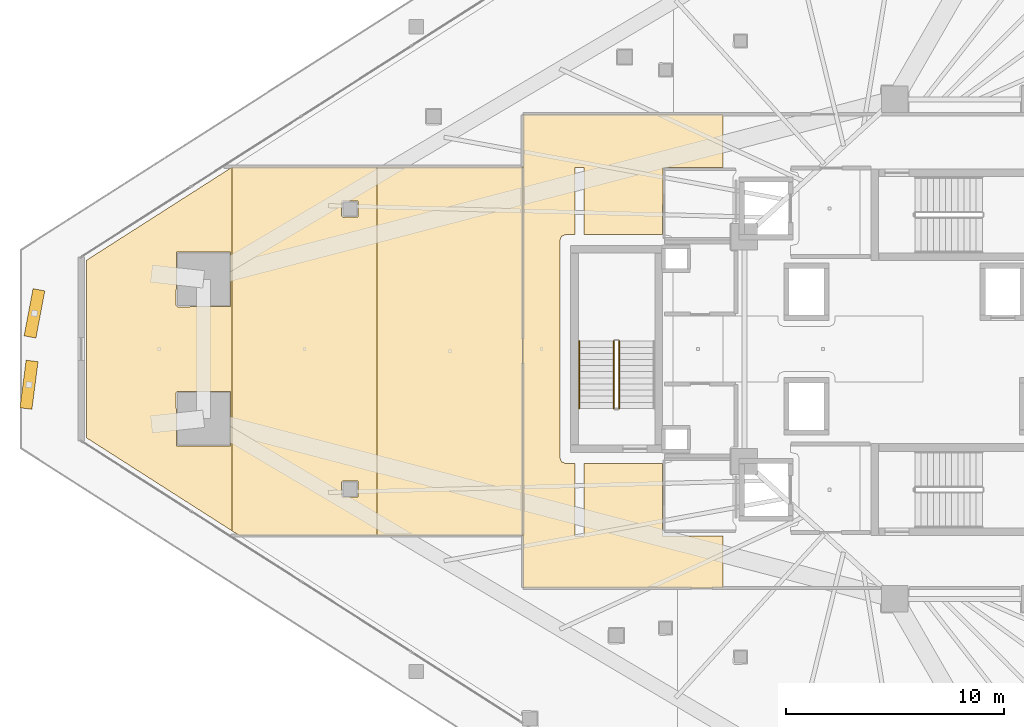
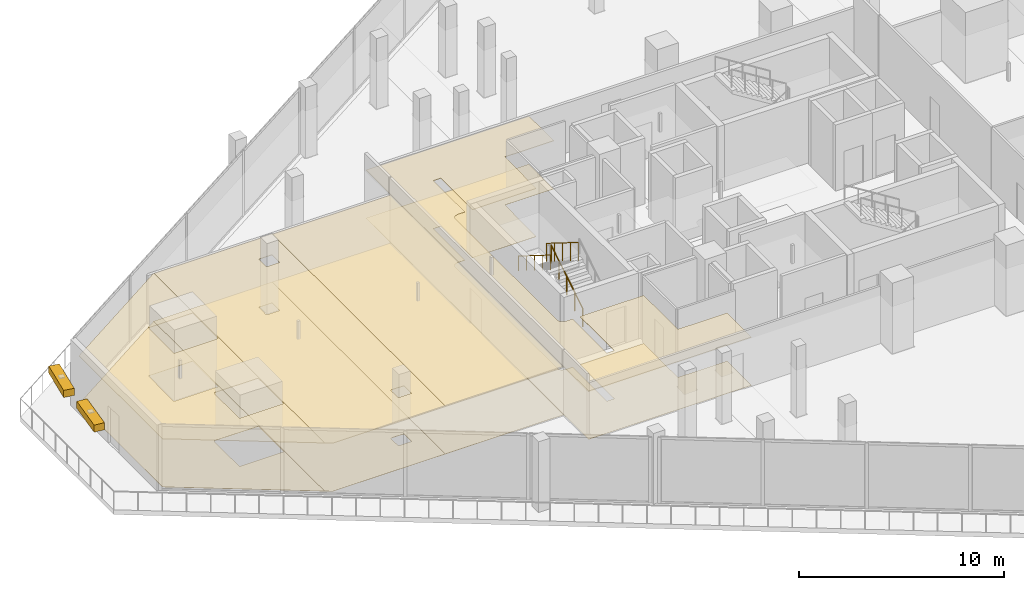
# One storey, part 38 of 42: 8 coverings, 3 railings, 2 shading devices.
"""IFC4 building model written with IfcOpenShell, lengths in metres."""

from ifc_helpers import new_model, si_unit, direction, frame, origin, origin_2d, place, context, subcontext, project, spatial, polyline, rectangle, circle, outline, extrude, material, layer, layer_set, type_object, element, save


model = new_model("IFC4")

# Units and contexts
model_context = context("Model", 3, precision=1e-05, world=origin(), true_north=direction((0.0, 1.0)))
body_context = subcontext(model_context, "Body", "Model", "MODEL_VIEW")
ifc_project = project(units=[si_unit("LENGTHUNIT", "METRE"), si_unit("AREAUNIT", "SQUARE_METRE"), si_unit("VOLUMEUNIT", "CUBIC_METRE"), si_unit("PLANEANGLEUNIT", "RADIAN"), si_unit("MASSUNIT", "GRAM", prefix="KILO")], contexts=[model_context])

# Site, building, storey
site_placement = place(None, origin())
site = spatial("IfcSite", under=ifc_project, at=site_placement, CompositionType="ELEMENT")
building_placement = place(site_placement, origin())
building = spatial("IfcBuilding", under=site, at=building_placement, Name="Qorvath Tower", CompositionType="ELEMENT")
storey_placement = place(building_placement, frame((0.0, 0.0, 32.39990234375)))
storey = spatial("IfcBuildingStorey", under=building, at=storey_placement, Name="L06", CompositionType="ELEMENT", Elevation=32.39990234375)

# Coverings
ifc_material_1 = material(Name="Acoustic mineral fibre ceiling tile", Category="gypsum")
ifc_layer_1 = layer(ifc_material_1, 0.030029296875)
ifc_layer_set_1 = layer_set([ifc_layer_1], Name="COV-CEIL")
covering_type_1 = type_object("IfcCoveringType", Name="COV-CEIL", PredefinedType="CEILING", material=ifc_layer_set_1)
covering_1_placement = place(storey_placement, frame((0.0, 0.0, 2.85009765625)))
element("IfcCovering", 1, at=covering_1_placement, inside=storey, type_object=covering_type_1, Name="L06 Suspended Acoustic Ceiling 007", PredefinedType="CEILING", context=body_context, shape_type="SweptSolid", body=[
    extrude(outline(polyline([(-31.481689453125, -10.945068359375), (-31.481689453125, -8.564697265625), (-34.25, -8.56494140625), (-34.2548828125, -5.239990234375), (-37.844970703125, -5.239990234375), (-37.844970703125, -8.580078125), (-38.2548828125, -8.580078125), (-38.2548828125, -5.239990234375), (-38.699951171875, -5.239990234375), (-38.876708984375, -5.166748046875), (-38.949951171875, -4.989990234375), (-38.949951171875, 4.989990234375), (-38.876708984375, 5.166748046875), (-38.699951171875, 5.239990234375), (-38.2548828125, 5.239990234375), (-38.25341796875, 8.323486328125), (-37.844970703125, 8.320068359375), (-37.844970703125, 5.239990234375), (-34.2509765625, 5.239990234375), (-34.219970703125, 8.324951171875), (-31.481689453125, 8.324951171875), (-31.481689453125, 10.7451171875), (-40.64501953125, 10.7451171875), (-40.64501953125, -10.945068359375), (-31.481689453125, -10.945068359375)])), origin(), (0.0, 0.0, 1.0), 0.030029296875),
])
covering_2_placement = place(storey_placement, frame((0.0, 0.0, 2.85009765625)))
element("IfcCovering", 2, at=covering_2_placement, inside=storey, type_object=covering_type_1, Name="L06 Suspended Acoustic Ceiling 022", PredefinedType="CEILING", context=body_context, shape_type="SweptSolid", body=[
    extrude(outline(polyline([(-53.98583984375, -8.330322265625), (-53.98583984375, 8.330322265625), (-60.6474609375, 4.07275390625), (-60.6474609375, -4.07275390625), (-53.98583984375, -8.330322265625)]), holes=[polyline([(-56.54296875, -1.994384765625), (-56.48291015625, -1.9345703125), (-54.04052734375, -1.9521484375), (-54.04052734375, -4.43701171875), (-56.525390625, -4.43701171875), (-56.54296875, -1.994384765625)]), polyline([(-56.54296875, 1.994384765625), (-56.525390625, 4.43701171875), (-54.04052734375, 4.43701171875), (-54.04052734375, 1.9521484375), (-56.48291015625, 1.9345703125), (-56.54296875, 1.994384765625)])]), origin(), (0.0, 0.0, 1.0), 0.030029296875),
])
covering_3_placement = place(storey_placement, frame((0.0, 0.0, 2.85009765625)))
element("IfcCovering", 3, at=covering_3_placement, inside=storey, type_object=covering_type_1, Name="L06 Suspended Acoustic Ceiling 023", PredefinedType="CEILING", context=body_context, shape_type="SweptSolid", body=[
    extrude(outline(polyline([(-47.324462890625, -8.537109375), (-47.324462890625, 8.3369140625), (-53.975341796875, 8.3369140625), (-53.98583984375, 8.330322265625), (-53.98583984375, -8.330322265625), (-53.66259765625, -8.537109375), (-47.324462890625, -8.537109375)]), holes=[polyline([(-48.96337890625, -6.099609375), (-48.9033203125, -6.03955078125), (-48.2109375, -6.05712890625), (-48.2109375, -6.7919921875), (-48.94580078125, -6.7919921875), (-48.96337890625, -6.099609375)]), polyline([(-48.96337890625, 6.099609375), (-48.94580078125, 6.7919921875), (-48.2109375, 6.7919921875), (-48.2109375, 6.05712890625), (-48.9033203125, 6.03955078125), (-48.96337890625, 6.099609375)])]), origin(), (0.0, 0.0, 1.0), 0.030029296875),
])
covering_4_placement = place(storey_placement, frame((0.0, 0.0, 2.85009765625)))
element("IfcCovering", 4, at=covering_4_placement, inside=storey, type_object=covering_type_1, Name="L06 Suspended Acoustic Ceiling 024", PredefinedType="CEILING", context=body_context, shape_type="SweptSolid", body=[
    extrude(outline(polyline([(-40.6630859375, 8.3369140625), (-47.324462890625, 8.3369140625), (-47.324462890625, -8.537109375), (-40.6630859375, -8.537109375), (-40.6630859375, 8.3369140625)])), origin(), (0.0, 0.0, 1.0), 0.030029296875),
])
ifc_material_2 = material(Name="Low-VOC modular carpet tile", Category="textile")
ifc_layer_2 = layer(ifc_material_2, 0.014892578125)
ifc_layer_set_2 = layer_set([ifc_layer_2], Name="COV-FLOOR-CPT")
covering_type_2 = type_object("IfcCoveringType", Name="COV-FLOOR-CPT", PredefinedType="FLOORING", material=ifc_layer_set_2)
covering_5_placement = place(storey_placement, origin())
element("IfcCovering", 5, at=covering_5_placement, inside=storey, type_object=covering_type_2, Name="L06 Floor Finish 022", PredefinedType="FLOORING", context=body_context, shape_type="SweptSolid", body=[
    extrude(outline(polyline([(-53.98583984375, -8.330322265625), (-53.98583984375, 8.330322265625), (-60.6474609375, 4.07275390625), (-60.6474609375, -4.07275390625), (-53.98583984375, -8.330322265625)]), holes=[polyline([(-56.54296875, -1.994384765625), (-56.48291015625, -1.9345703125), (-54.04052734375, -1.9521484375), (-54.04052734375, -4.43701171875), (-56.525390625, -4.43701171875), (-56.54296875, -1.994384765625)]), polyline([(-56.54296875, 1.994384765625), (-56.525390625, 4.43701171875), (-54.04052734375, 4.43701171875), (-54.04052734375, 1.9521484375), (-56.48291015625, 1.9345703125), (-56.54296875, 1.994384765625)])]), origin(), (0.0, 0.0, 1.0), 0.01513671875),
])
covering_6_placement = place(storey_placement, origin())
element("IfcCovering", 6, at=covering_6_placement, inside=storey, type_object=covering_type_2, Name="L06 Floor Finish 023", PredefinedType="FLOORING", context=body_context, shape_type="SweptSolid", body=[
    extrude(outline(polyline([(-47.324462890625, -8.537109375), (-47.324462890625, 8.3369140625), (-53.975341796875, 8.3369140625), (-53.98583984375, 8.330322265625), (-53.98583984375, -8.330322265625), (-53.66259765625, -8.537109375), (-47.324462890625, -8.537109375)]), holes=[polyline([(-48.96337890625, -6.099609375), (-48.9033203125, -6.03955078125), (-48.2109375, -6.05712890625), (-48.2109375, -6.7919921875), (-48.94580078125, -6.7919921875), (-48.96337890625, -6.099609375)]), polyline([(-48.96337890625, 6.099609375), (-48.94580078125, 6.7919921875), (-48.2109375, 6.7919921875), (-48.2109375, 6.05712890625), (-48.9033203125, 6.03955078125), (-48.96337890625, 6.099609375)])]), origin(), (0.0, 0.0, 1.0), 0.01513671875),
])
covering_7_placement = place(storey_placement, origin())
element("IfcCovering", 7, at=covering_7_placement, inside=storey, type_object=covering_type_2, Name="L06 Floor Finish 024", PredefinedType="FLOORING", context=body_context, shape_type="SweptSolid", body=[
    extrude(outline(polyline([(-40.6630859375, 8.3369140625), (-47.324462890625, 8.3369140625), (-47.324462890625, -8.537109375), (-40.6630859375, -8.537109375), (-40.6630859375, 8.3369140625)])), origin(), (0.0, 0.0, 1.0), 0.01513671875),
])
ifc_material_3 = material(Name="Polished epoxy terrazzo flooring", Category="concrete")
ifc_layer_3 = layer(ifc_material_3, 0.02001953125)
ifc_layer_set_3 = layer_set([ifc_layer_3], Name="COV-FLOOR-TRZ")
covering_type_3 = type_object("IfcCoveringType", Name="COV-FLOOR-TRZ", PredefinedType="FLOORING", material=ifc_layer_set_3)
covering_8_placement = place(storey_placement, origin())
element("IfcCovering", 8, at=covering_8_placement, inside=storey, type_object=covering_type_3, Name="L06 Floor Finish 007", PredefinedType="FLOORING", context=body_context, shape_type="SweptSolid", body=[
    extrude(outline(polyline([(-31.481689453125, -10.945068359375), (-31.481689453125, -8.564697265625), (-34.25, -8.56494140625), (-34.2548828125, -5.239990234375), (-37.844970703125, -5.239990234375), (-37.844970703125, -8.580078125), (-38.2548828125, -8.580078125), (-38.2548828125, -5.239990234375), (-38.699951171875, -5.239990234375), (-38.876708984375, -5.166748046875), (-38.949951171875, -4.989990234375), (-38.949951171875, 4.989990234375), (-38.876708984375, 5.166748046875), (-38.699951171875, 5.239990234375), (-38.2548828125, 5.239990234375), (-38.25341796875, 8.323486328125), (-37.844970703125, 8.320068359375), (-37.844970703125, 5.239990234375), (-34.2509765625, 5.239990234375), (-34.219970703125, 8.324951171875), (-31.481689453125, 8.324951171875), (-31.481689453125, 10.7451171875), (-40.64501953125, 10.7451171875), (-40.64501953125, -10.945068359375), (-31.481689453125, -10.945068359375)])), origin(), (0.0, 0.0, 1.0), 0.01513671875),
])

# Railings
ifc_material_4 = material(Name="Painted galvanised steel", Category="steel")
railing_type_1 = type_object("IfcRailingType", Name="RL-STR-GRD", PredefinedType="GUARDRAIL", material=ifc_material_4)
railing_1_placement = place(storey_placement, frame((-36.22998046875, -2.719970703125, 0.175048828125)))
element("IfcRailing", 9, at=railing_1_placement, inside=storey, type_object=railing_type_1, Name="L06 TS3 stair guard 1", PredefinedType="GUARDRAIL", context=body_context, shape_type="SweptSolid", body=[
    extrude(circle(Radius=0.02392578125, at=origin_2d()), frame((0.0, 0.0, 1.076171875), z_axis=(0.0, 0.847998304005, 0.529998940003), x_axis=(-1.0, 0.0, 0.0)), (0.0, 0.0, 1.0), 3.632080078125),
    extrude(circle(Radius=0.02099609375, at=origin_2d()), origin(), (0.0, 0.0, 1.0), 1.052001953125),
    extrude(circle(Radius=0.02099609375, at=origin_2d()), frame((0.0, 0.77001953125, 0.481201171875)), (0.0, 0.0, 1.0), 1.052001953125),
    extrude(circle(Radius=0.02099609375, at=origin_2d()), frame((0.0, 1.5400390625, 0.96240234375)), (0.0, 0.0, 1.0), 1.052001953125),
    extrude(circle(Radius=0.02099609375, at=origin_2d()), frame((0.0, 2.31005859375, 1.44384765625)), (0.0, 0.0, 1.0), 1.052001953125),
    extrude(circle(Radius=0.02099609375, at=origin_2d()), frame((0.0, 3.080078125, 1.925048828125)), (0.0, 0.0, 1.0), 1.052001953125),
])
railing_2_placement = place(storey_placement, frame((-36.47998046875, 0.360107421875, 2.275146484375)))
element("IfcRailing", 10, at=railing_2_placement, inside=storey, type_object=railing_type_1, Name="L06 TS3 stair guard 3", PredefinedType="GUARDRAIL", context=body_context, shape_type="SweptSolid", body=[
    extrude(circle(Radius=0.02392578125, at=origin_2d()), frame((0.0, 0.0, 1.076171875), z_axis=(0.0, -0.847998304005, 0.529998940003), x_axis=(1.0, 0.0, 0.0)), (0.0, 0.0, 1.0), 3.632080078125),
    extrude(circle(Radius=0.02099609375, at=origin_2d()), origin(), (0.0, 0.0, 1.0), 1.052001953125),
    extrude(circle(Radius=0.02099609375, at=origin_2d()), frame((0.0, -0.77001953125, 0.481201171875)), (0.0, 0.0, 1.0), 1.052001953125),
    extrude(circle(Radius=0.02099609375, at=origin_2d()), frame((0.0, -1.5400390625, 0.96240234375)), (0.0, 0.0, 1.0), 1.052001953125),
    extrude(circle(Radius=0.02099609375, at=origin_2d()), frame((0.0, -2.31005859375, 1.44384765625)), (0.0, 0.0, 1.0), 1.052001953125),
    extrude(circle(Radius=0.02099609375, at=origin_2d()), frame((0.0, -3.080078125, 1.925048828125)), (0.0, 0.0, 1.0), 1.052001953125),
])
ifc_material_5 = material(Name="Brushed stainless steel AISI 304", Category="steel")
railing_type_2 = type_object("IfcRailingType", Name="RL-STR-HND", PredefinedType="HANDRAIL", material=ifc_material_5)
railing_3_placement = place(storey_placement, frame((-38.06005859375, 0.360107421875, 2.275146484375)))
element("IfcRailing", 11, at=railing_3_placement, inside=storey, type_object=railing_type_2, Name="L06 TS3 stair handrail 2", PredefinedType="HANDRAIL", context=body_context, shape_type="SweptSolid", body=[
    extrude(circle(Radius=0.02392578125, at=origin_2d()), frame((0.0, 0.0, 0.8759765625), z_axis=(0.0, -0.847998304005, 0.529998940003), x_axis=(1.0, 0.0, 0.0)), (0.0, 0.0, 1.0), 3.632080078125),
    extrude(circle(Radius=0.02099609375, at=origin_2d()), origin(), (0.0, 0.0, 1.0), 0.851806640625),
    extrude(circle(Radius=0.02099609375, at=origin_2d()), frame((0.0, -0.77001953125, 0.481201171875)), (0.0, 0.0, 1.0), 0.851806640625),
    extrude(circle(Radius=0.02099609375, at=origin_2d()), frame((0.0, -1.5400390625, 0.96240234375)), (0.0, 0.0, 1.0), 0.851806640625),
    extrude(circle(Radius=0.02099609375, at=origin_2d()), frame((0.0, -2.31005859375, 1.44384765625)), (0.0, 0.0, 1.0), 0.851806640625),
    extrude(circle(Radius=0.02099609375, at=origin_2d()), frame((0.0, -3.080078125, 1.925048828125)), (0.0, 0.0, 1.0), 0.851806640625),
])

# Shading devices
ifc_material_6 = material(Name="Anodised bronze-champagne aluminium", Category="aluminium")
shading_device_type = type_object("IfcShadingDeviceType", Name="SD-LOUVRE", PredefinedType="JALOUSIE", material=ifc_material_6)
for number, where, z_axis, x_axis, name in (
    (12, (-63.036376953125, 1.636474609375, 3.500244140625), (0.0, 0.0, 1.0), (-0.185695770012, -0.982607287272, 0.0), "Sinusoidal Wave Louvre Blade L06-01"),
    (13, (-63.286865234375, -1.636474609375, 3.500244140625), (0.0, 0.0, 1.0), (-0.127686078095, -0.991814632611, 0.0), "Sinusoidal Wave Louvre Blade L06-02"),
):
    element("IfcShadingDevice", number, at=place(storey_placement, frame(where, z_axis=z_axis, x_axis=x_axis)), inside=storey, type_object=shading_device_type, Name=name, PredefinedType="NOTDEFINED", context=body_context, shape_type="SweptSolid", body=[
        extrude(rectangle(XDim=2.199951171875, YDim=0.550048828125, at=origin_2d()), origin(), (0.0, 0.0, 1.0), 0.419921875),
    ])

save(model, "model.ifc")
